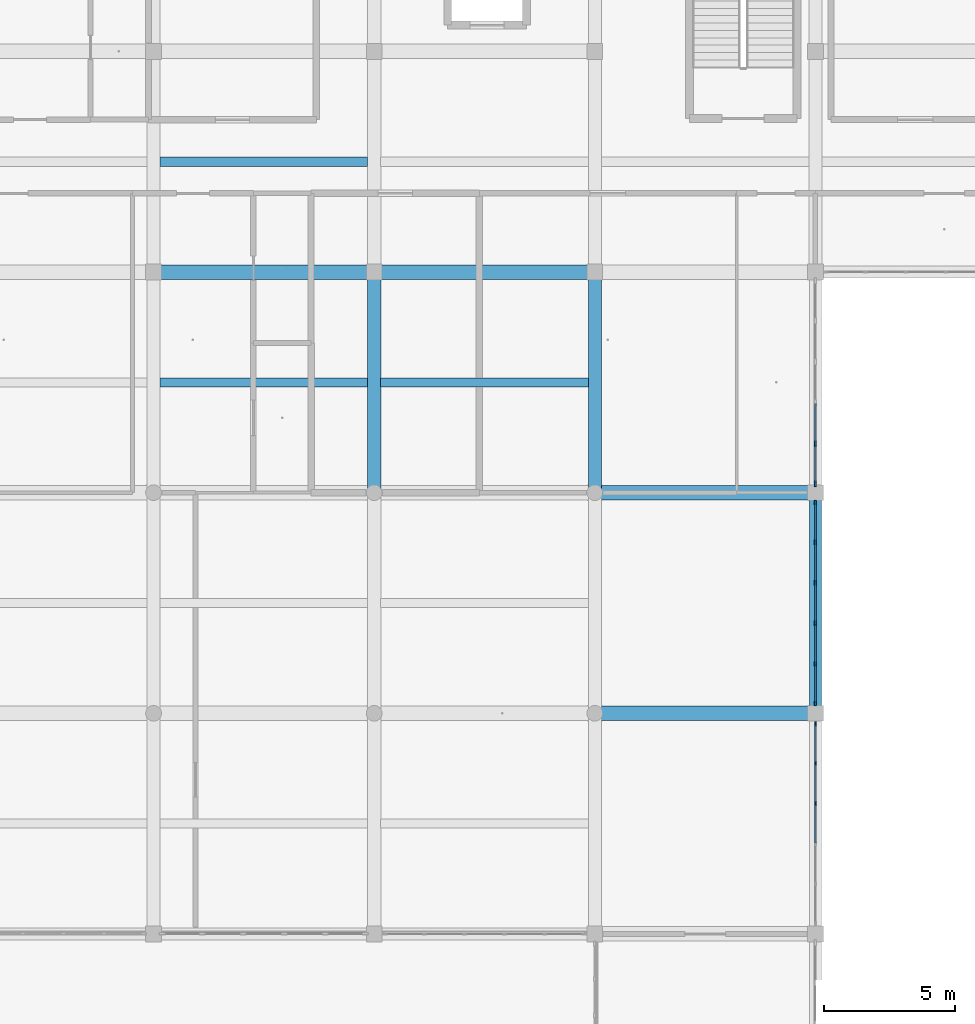
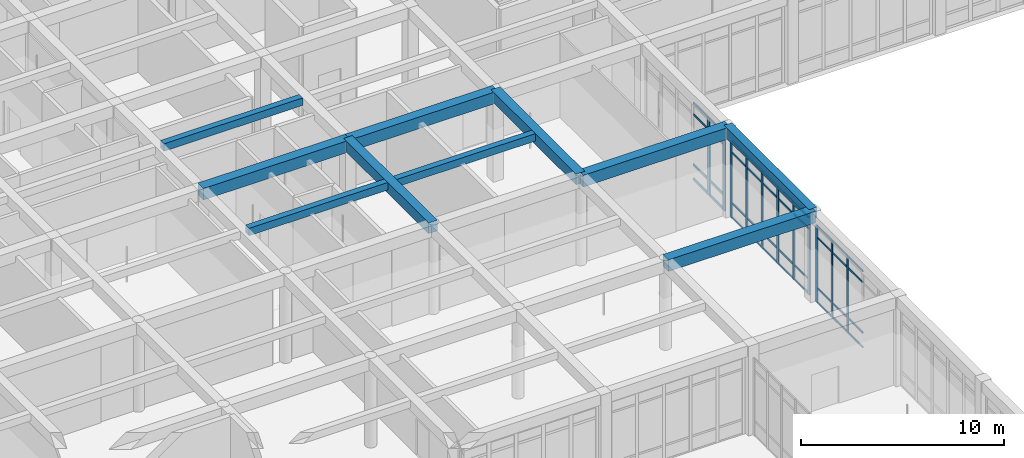
# One storey, part 38 of 157: 51 members, 10 beams, 3 elements without a shape of their own.
"""IFC4 building model written with IfcOpenShell, lengths in metres."""

from ifc_helpers import new_model, si_unit, direction, frame, origin, origin_2d, place, context, subcontext, project, spatial, rectangle, extrude, material, material_profile, profile_set, type_object, element, aggregate, save


model = new_model("IFC4")

# Units and contexts
model_context = context("Model", 3, precision=1e-05, world=origin(), true_north=direction((0.0, 1.0)))
body_context = subcontext(model_context, "Body", "Model", "MODEL_VIEW")
ifc_project = project(units=[si_unit("LENGTHUNIT", "METRE"), si_unit("AREAUNIT", "SQUARE_METRE"), si_unit("VOLUMEUNIT", "CUBIC_METRE"), si_unit("PLANEANGLEUNIT", "RADIAN"), si_unit("MASSUNIT", "GRAM", prefix="KILO")], contexts=[model_context])

# Site, building, storey
site_placement = place(None, origin())
site = spatial("IfcSite", under=ifc_project, at=site_placement, CompositionType="ELEMENT")
building_placement = place(site_placement, origin())
building = spatial("IfcBuilding", under=site, at=building_placement, Name="Varncliffe General Hospital", CompositionType="ELEMENT")
storey_placement = place(building_placement, frame((0.0, 0.0, 5.39990234375)))
storey = spatial("IfcBuildingStorey", under=building, at=storey_placement, Name="L01", CompositionType="ELEMENT", Elevation=5.39990234375)

# Beams
ifc_material_1 = material(Name="Concrete C35/45 (CSA A23.1 35 MPa)", Category="concrete")
ifc_material_profile_1 = material_profile(ifc_material_1, rectangle(XDim=0.5, YDim=0.64990234375, at=origin_2d()), Name="RC 500x650")
ifc_profile_set_1 = profile_set([ifc_material_profile_1], Name="Concrete C35/45 (CSA A23.1 35 MPa)")
beam_type_1 = type_object("IfcBeamType", Name="Beam B29 (Int RC 500x650)", PredefinedType="BEAM", material=ifc_profile_set_1)
for number, where, z_axis, x_axis, name in (
    (1, (100.800048828125, 74.39990234375, 5.0751953125), (0.0, 1.0, 0.0), (-1.0, 0.0, 0.0), "L01 Primary Beam B29-402"),
    (2, (109.199951171875, 74.39990234375, 5.0751953125), (0.0, 1.0, 0.0), (-1.0, 0.0, 0.0), "L01 Primary Beam B29-409"),
):
    element("IfcBeam", number, at=place(storey_placement, frame(where, z_axis=z_axis, x_axis=x_axis)), inside=storey, type_object=beam_type_1, Name=name, PredefinedType="BEAM", context=body_context, shape_type="SweptSolid", body=[
        extrude(rectangle(XDim=0.5, YDim=0.64990234375, at=origin_2d()), origin(), (0.0, 0.0, 1.0), 8.400146484375),
    ])
ifc_material_profile_2 = material_profile(ifc_material_1, rectangle(XDim=0.550048828125, YDim=0.699951171875, at=origin_2d()), Name="RC 550x700")
ifc_profile_set_2 = profile_set([ifc_material_profile_2], Name="Concrete C35/45 (CSA A23.1 35 MPa)")
beam_type_2 = type_object("IfcBeamType", Name="Beam B35 (Int RC 550x700)", PredefinedType="BEAM", material=ifc_profile_set_2)
for number, where, z_axis, x_axis, name in (
    (3, (109.199951171875, 66.0, 5.050048828125), (1.0, 0.0, 0.0), (0.0, 1.0, 0.0), "L01 Primary Beam B35-95"),
    (4, (109.199951171875, 74.39990234375, 5.050048828125), (1.0, 0.0, 0.0), (0.0, 1.0, 0.0), "L01 Primary Beam B35-108"),
    (5, (92.39990234375, 82.800048828125, 5.050048828125), (1.0, 0.0, 0.0), (0.0, 1.0, 0.0), "L01 Primary Beam B35-123"),
):
    element("IfcBeam", number, at=place(storey_placement, frame(where, z_axis=z_axis, x_axis=x_axis)), inside=storey, type_object=beam_type_2, Name=name, PredefinedType="BEAM", context=body_context, shape_type="SweptSolid", body=[
        extrude(rectangle(XDim=0.550048828125, YDim=0.699951171875, at=origin_2d()), origin(), (0.0, 0.0, 1.0), 8.400146484375),
    ])
beam_1_placement = place(storey_placement, frame((100.800048828125, 82.800048828125, 5.050048828125), z_axis=(1.0, 0.0, 0.0), x_axis=(0.0, 1.0, 0.0)))
element("IfcBeam", 6, at=beam_1_placement, inside=storey, type_object=beam_type_2, Name="L01 Primary Beam B35-124", PredefinedType="BEAM", context=body_context, shape_type="SweptSolid", body=[
    extrude(rectangle(XDim=0.550048828125, YDim=0.699951171875, at=origin_2d()), origin(), (0.0, 0.0, 1.0), 8.39990234375),
])

# Curtain wall, members
ifc_material_2 = material(Name="Triple low-E argon insulated vision glazing", Category="glass")
curtain_wall_type_1 = type_object("IfcCurtainWallType", Name="Unitised Glazed Curtain Wall CW70 (7724x4640)", PredefinedType="USERDEFINED", material=ifc_material_2)
curtain_wall_1_placement = place(storey_placement, origin())
curtain_wall_1 = element("IfcCurtainWall", 7, at=curtain_wall_1_placement, inside=storey, type_object=curtain_wall_type_1, Name="L01 Glazed Curtain Wall CW70-55", ObjectType="GLAZED CURTAIN WALL", PredefinedType="USERDEFINED")
ifc_material_3 = material(Name="Dark bronze thermally broken aluminium framing", Category="aluminium")
ifc_material_profile_3 = material_profile(ifc_material_3, rectangle(XDim=0.074951171875, YDim=0.179931640625, at=origin_2d()), Name="ALU 75x180")
ifc_profile_set_3 = profile_set([ifc_material_profile_3], Name="Dark bronze thermally broken aluminium framing")
member_type_1 = type_object("IfcMemberType", Name="Curtain Wall Mullion CM44 (ALU 75x180)", PredefinedType="MULLION", material=ifc_profile_set_3)
member_1_placement = place(storey_placement, frame((117.60009765625, 74.0244140625, 0.0), z_axis=(0.0, 0.0, 1.0), x_axis=(1.0, 0.0, 0.0)))
member_1 = element("IfcMember", 8, at=member_1_placement, type_object=member_type_1, Name="CW70 mullion 1", PredefinedType="MULLION", context=body_context, shape_type="SweptSolid", body=[
    extrude(rectangle(XDim=0.074951171875, YDim=0.179931640625, at=origin_2d()), origin(), (0.0, 0.0, 1.0), 4.64013671875),
])
member_2_placement = place(storey_placement, frame((117.60009765625, 72.51708984375, 0.0), z_axis=(0.0, 0.0, 1.0), x_axis=(1.0, 0.0, 0.0)))
member_2 = element("IfcMember", 9, at=member_2_placement, type_object=member_type_1, Name="CW70 mullion 2", PredefinedType="MULLION", context=body_context, shape_type="SweptSolid", body=[
    extrude(rectangle(XDim=0.074951171875, YDim=0.179931640625, at=origin_2d()), origin(), (0.0, 0.0, 1.0), 4.64013671875),
])
member_3_placement = place(storey_placement, frame((117.60009765625, 70.972412109375, 0.0), z_axis=(0.0, 0.0, 1.0), x_axis=(1.0, 0.0, 0.0)))
member_3 = element("IfcMember", 10, at=member_3_placement, type_object=member_type_1, Name="CW70 mullion 3", PredefinedType="MULLION", context=body_context, shape_type="SweptSolid", body=[
    extrude(rectangle(XDim=0.074951171875, YDim=0.179931640625, at=origin_2d()), origin(), (0.0, 0.0, 1.0), 4.64013671875),
])
member_4_placement = place(storey_placement, frame((117.60009765625, 69.427490234375, 0.0), z_axis=(0.0, 0.0, 1.0), x_axis=(1.0, 0.0, 0.0)))
member_4 = element("IfcMember", 11, at=member_4_placement, type_object=member_type_1, Name="CW70 mullion 4", PredefinedType="MULLION", context=body_context, shape_type="SweptSolid", body=[
    extrude(rectangle(XDim=0.074951171875, YDim=0.179931640625, at=origin_2d()), origin(), (0.0, 0.0, 1.0), 4.64013671875),
])
member_5_placement = place(storey_placement, frame((117.60009765625, 67.8828125, 0.0), z_axis=(0.0, 0.0, 1.0), x_axis=(1.0, 0.0, 0.0)))
member_5 = element("IfcMember", 12, at=member_5_placement, type_object=member_type_1, Name="CW70 mullion 5", PredefinedType="MULLION", context=body_context, shape_type="SweptSolid", body=[
    extrude(rectangle(XDim=0.074951171875, YDim=0.179931640625, at=origin_2d()), origin(), (0.0, 0.0, 1.0), 4.64013671875),
])
member_6_placement = place(storey_placement, frame((117.60009765625, 66.37548828125, 0.0), z_axis=(0.0, 0.0, 1.0), x_axis=(1.0, 0.0, 0.0)))
member_6 = element("IfcMember", 13, at=member_6_placement, type_object=member_type_1, Name="CW70 mullion 6", PredefinedType="MULLION", context=body_context, shape_type="SweptSolid", body=[
    extrude(rectangle(XDim=0.074951171875, YDim=0.179931640625, at=origin_2d()), origin(), (0.0, 0.0, 1.0), 4.64013671875),
])

curtain_wall_type_2 = type_object("IfcCurtainWallType", Name="Unitised Glazed Curtain Wall CW27 (7644x4640)", PredefinedType="USERDEFINED", material=ifc_material_2)
curtain_wall_2_placement = place(storey_placement, origin())
curtain_wall_2 = element("IfcCurtainWall", 14, at=curtain_wall_2_placement, inside=storey, type_object=curtain_wall_type_2, Name="L01 Glazed Curtain Wall CW27-56", ObjectType="GLAZED CURTAIN WALL", PredefinedType="USERDEFINED")
ifc_material_profile_4 = material_profile(ifc_material_3, rectangle(XDim=0.06494140625, YDim=0.159912109375, at=origin_2d()), Name="ALU 65x160")
ifc_profile_set_4 = profile_set([ifc_material_profile_4], Name="Dark bronze thermally broken aluminium framing")
member_type_2 = type_object("IfcMemberType", Name="Curtain Wall Mullion CM65 (ALU 65x160)", PredefinedType="MULLION", material=ifc_profile_set_4)
member_7_placement = place(storey_placement, frame((117.60009765625, 65.589599609375, 0.0), z_axis=(0.0, 0.0, 1.0), x_axis=(1.0, 0.0, 0.0)))
member_7 = element("IfcMember", 15, at=member_7_placement, type_object=member_type_2, Name="CW27 mullion 1", PredefinedType="MULLION", context=body_context, shape_type="SweptSolid", body=[
    extrude(rectangle(XDim=0.06494140625, YDim=0.159912109375, at=origin_2d()), origin(), (0.0, 0.0, 1.0), 4.64013671875),
])
member_8_placement = place(storey_placement, frame((117.60009765625, 64.09326171875, 0.0), z_axis=(0.0, 0.0, 1.0), x_axis=(1.0, 0.0, 0.0)))
member_8 = element("IfcMember", 16, at=member_8_placement, type_object=member_type_2, Name="CW27 mullion 2", PredefinedType="MULLION", context=body_context, shape_type="SweptSolid", body=[
    extrude(rectangle(XDim=0.06494140625, YDim=0.159912109375, at=origin_2d()), origin(), (0.0, 0.0, 1.0), 4.64013671875),
])
member_9_placement = place(storey_placement, frame((117.60009765625, 62.564453125, 0.0), z_axis=(0.0, 0.0, 1.0), x_axis=(1.0, 0.0, 0.0)))
member_9 = element("IfcMember", 17, at=member_9_placement, type_object=member_type_2, Name="CW27 mullion 3", PredefinedType="MULLION", context=body_context, shape_type="SweptSolid", body=[
    extrude(rectangle(XDim=0.06494140625, YDim=0.159912109375, at=origin_2d()), origin(), (0.0, 0.0, 1.0), 4.64013671875),
])

curtain_wall_type_3 = type_object("IfcCurtainWallType", Name="Unitised Glazed Curtain Wall CW85 (7804x4640)", PredefinedType="USERDEFINED", material=ifc_material_2)
curtain_wall_3_placement = place(storey_placement, origin())
curtain_wall_3 = element("IfcCurtainWall", 18, at=curtain_wall_3_placement, inside=storey, type_object=curtain_wall_type_3, Name="L01 Glazed Curtain Wall CW85-72", ObjectType="GLAZED CURTAIN WALL", PredefinedType="USERDEFINED")
ifc_material_profile_5 = material_profile(ifc_material_3, rectangle(XDim=0.074951171875, YDim=0.219970703125, at=origin_2d()), Name="ALU 75x220")
ifc_profile_set_5 = profile_set([ifc_material_profile_5], Name="Dark bronze thermally broken aluminium framing")
member_type_3 = type_object("IfcMemberType", Name="Curtain Wall Mullion CM74 (ALU 75x220)", PredefinedType="MULLION", material=ifc_profile_set_5)
member_10_placement = place(storey_placement, frame((117.60009765625, 76.2587890625, 0.0), z_axis=(0.0, 0.0, 1.0), x_axis=(1.0, 0.0, 0.0)))
member_10 = element("IfcMember", 19, at=member_10_placement, type_object=member_type_3, Name="CW85 mullion 5", PredefinedType="MULLION", context=body_context, shape_type="SweptSolid", body=[
    extrude(rectangle(XDim=0.074951171875, YDim=0.219970703125, at=origin_2d()), origin(), (0.0, 0.0, 1.0), 4.64013671875),
])
member_11_placement = place(storey_placement, frame((117.60009765625, 74.735595703125, 0.0), z_axis=(0.0, 0.0, 1.0), x_axis=(1.0, 0.0, 0.0)))
member_11 = element("IfcMember", 20, at=member_11_placement, type_object=member_type_3, Name="CW85 mullion 6", PredefinedType="MULLION", context=body_context, shape_type="SweptSolid", body=[
    extrude(rectangle(XDim=0.074951171875, YDim=0.219970703125, at=origin_2d()), origin(), (0.0, 0.0, 1.0), 4.64013671875),
])

# Member
ifc_material_profile_6 = material_profile(ifc_material_3, rectangle(XDim=0.06005859375, YDim=0.1201171875, at=origin_2d()), Name="ALU 60x120")
ifc_profile_set_6 = profile_set([ifc_material_profile_6], Name="Dark bronze thermally broken aluminium framing")
member_type_4 = type_object("IfcMemberType", Name="Curtain Wall Transom CT14 (ALU 60x120)", PredefinedType="USERDEFINED", material=ifc_profile_set_6)
member_12_placement = place(storey_placement, frame((117.60009765625, 73.987060546875, 0.030029296875), z_axis=(0.0, -1.0, 0.0), x_axis=(1.0, 0.0, 0.0)))
member_12 = element("IfcMember", 21, at=member_12_placement, type_object=member_type_4, Name="CW70 transom 1.1", ObjectType="TRANSOM", PredefinedType="USERDEFINED", context=body_context, shape_type="SweptSolid", body=[
    extrude(rectangle(XDim=0.06005859375, YDim=0.1201171875, at=origin_2d()), origin(), (0.0, 0.0, 1.0), 1.432373046875),
])

member_13_placement = place(storey_placement, frame((117.60009765625, 73.987060546875, 0.900146484375), z_axis=(0.0, -1.0, 0.0), x_axis=(1.0, 0.0, 0.0)))
member_13 = element("IfcMember", 22, at=member_13_placement, type_object=member_type_4, Name="CW70 transom 1.2", ObjectType="TRANSOM", PredefinedType="USERDEFINED", context=body_context, shape_type="SweptSolid", body=[
    extrude(rectangle(XDim=0.06005859375, YDim=0.1201171875, at=origin_2d()), origin(), (0.0, 0.0, 1.0), 1.432373046875),
])

member_14_placement = place(storey_placement, frame((117.60009765625, 73.987060546875, 3.940185546875), z_axis=(0.0, -1.0, 0.0), x_axis=(1.0, 0.0, 0.0)))
member_14 = element("IfcMember", 23, at=member_14_placement, type_object=member_type_4, Name="CW70 transom 1.3", ObjectType="TRANSOM", PredefinedType="USERDEFINED", context=body_context, shape_type="SweptSolid", body=[
    extrude(rectangle(XDim=0.06005859375, YDim=0.1201171875, at=origin_2d()), origin(), (0.0, 0.0, 1.0), 1.432373046875),
])

member_15_placement = place(storey_placement, frame((117.60009765625, 73.987060546875, 4.610107421875), z_axis=(0.0, -1.0, 0.0), x_axis=(1.0, 0.0, 0.0)))
member_15 = element("IfcMember", 24, at=member_15_placement, type_object=member_type_4, Name="CW70 transom 1.4", ObjectType="TRANSOM", PredefinedType="USERDEFINED", context=body_context, shape_type="SweptSolid", body=[
    extrude(rectangle(XDim=0.06005859375, YDim=0.1201171875, at=origin_2d()), origin(), (0.0, 0.0, 1.0), 1.432373046875),
])

member_16_placement = place(storey_placement, frame((117.60009765625, 72.479736328125, 0.030029296875), z_axis=(0.0, -1.0, 0.0), x_axis=(1.0, 0.0, 0.0)))
member_16 = element("IfcMember", 25, at=member_16_placement, type_object=member_type_4, Name="CW70 transom 2.1", ObjectType="TRANSOM", PredefinedType="USERDEFINED", context=body_context, shape_type="SweptSolid", body=[
    extrude(rectangle(XDim=0.06005859375, YDim=0.1201171875, at=origin_2d()), origin(), (0.0, 0.0, 1.0), 1.4697265625),
])

member_17_placement = place(storey_placement, frame((117.60009765625, 72.479736328125, 0.900146484375), z_axis=(0.0, -1.0, 0.0), x_axis=(1.0, 0.0, 0.0)))
member_17 = element("IfcMember", 26, at=member_17_placement, type_object=member_type_4, Name="CW70 transom 2.2", ObjectType="TRANSOM", PredefinedType="USERDEFINED", context=body_context, shape_type="SweptSolid", body=[
    extrude(rectangle(XDim=0.06005859375, YDim=0.1201171875, at=origin_2d()), origin(), (0.0, 0.0, 1.0), 1.4697265625),
])

member_18_placement = place(storey_placement, frame((117.60009765625, 72.479736328125, 3.940185546875), z_axis=(0.0, -1.0, 0.0), x_axis=(1.0, 0.0, 0.0)))
member_18 = element("IfcMember", 27, at=member_18_placement, type_object=member_type_4, Name="CW70 transom 2.3", ObjectType="TRANSOM", PredefinedType="USERDEFINED", context=body_context, shape_type="SweptSolid", body=[
    extrude(rectangle(XDim=0.06005859375, YDim=0.1201171875, at=origin_2d()), origin(), (0.0, 0.0, 1.0), 1.4697265625),
])

member_19_placement = place(storey_placement, frame((117.60009765625, 72.479736328125, 4.610107421875), z_axis=(0.0, -1.0, 0.0), x_axis=(1.0, 0.0, 0.0)))
member_19 = element("IfcMember", 28, at=member_19_placement, type_object=member_type_4, Name="CW70 transom 2.4", ObjectType="TRANSOM", PredefinedType="USERDEFINED", context=body_context, shape_type="SweptSolid", body=[
    extrude(rectangle(XDim=0.06005859375, YDim=0.1201171875, at=origin_2d()), origin(), (0.0, 0.0, 1.0), 1.4697265625),
])

member_20_placement = place(storey_placement, frame((117.60009765625, 70.934814453125, 0.030029296875), z_axis=(0.0, -1.0, 0.0), x_axis=(1.0, 0.0, 0.0)))
member_20 = element("IfcMember", 29, at=member_20_placement, type_object=member_type_4, Name="CW70 transom 3.1", ObjectType="TRANSOM", PredefinedType="USERDEFINED", context=body_context, shape_type="SweptSolid", body=[
    extrude(rectangle(XDim=0.06005859375, YDim=0.1201171875, at=origin_2d()), origin(), (0.0, 0.0, 1.0), 1.4697265625),
])

member_21_placement = place(storey_placement, frame((117.60009765625, 70.934814453125, 0.900146484375), z_axis=(0.0, -1.0, 0.0), x_axis=(1.0, 0.0, 0.0)))
member_21 = element("IfcMember", 30, at=member_21_placement, type_object=member_type_4, Name="CW70 transom 3.2", ObjectType="TRANSOM", PredefinedType="USERDEFINED", context=body_context, shape_type="SweptSolid", body=[
    extrude(rectangle(XDim=0.06005859375, YDim=0.1201171875, at=origin_2d()), origin(), (0.0, 0.0, 1.0), 1.4697265625),
])

member_22_placement = place(storey_placement, frame((117.60009765625, 70.934814453125, 3.940185546875), z_axis=(0.0, -1.0, 0.0), x_axis=(1.0, 0.0, 0.0)))
member_22 = element("IfcMember", 31, at=member_22_placement, type_object=member_type_4, Name="CW70 transom 3.3", ObjectType="TRANSOM", PredefinedType="USERDEFINED", context=body_context, shape_type="SweptSolid", body=[
    extrude(rectangle(XDim=0.06005859375, YDim=0.1201171875, at=origin_2d()), origin(), (0.0, 0.0, 1.0), 1.4697265625),
])

member_23_placement = place(storey_placement, frame((117.60009765625, 70.934814453125, 4.610107421875), z_axis=(0.0, -1.0, 0.0), x_axis=(1.0, 0.0, 0.0)))
member_23 = element("IfcMember", 32, at=member_23_placement, type_object=member_type_4, Name="CW70 transom 3.4", ObjectType="TRANSOM", PredefinedType="USERDEFINED", context=body_context, shape_type="SweptSolid", body=[
    extrude(rectangle(XDim=0.06005859375, YDim=0.1201171875, at=origin_2d()), origin(), (0.0, 0.0, 1.0), 1.4697265625),
])

member_24_placement = place(storey_placement, frame((117.60009765625, 69.39013671875, 0.030029296875), z_axis=(0.0, -1.0, 0.0), x_axis=(1.0, 0.0, 0.0)))
member_24 = element("IfcMember", 33, at=member_24_placement, type_object=member_type_4, Name="CW70 transom 4.1", ObjectType="TRANSOM", PredefinedType="USERDEFINED", context=body_context, shape_type="SweptSolid", body=[
    extrude(rectangle(XDim=0.06005859375, YDim=0.1201171875, at=origin_2d()), origin(), (0.0, 0.0, 1.0), 1.4697265625),
])

member_25_placement = place(storey_placement, frame((117.60009765625, 69.39013671875, 0.900146484375), z_axis=(0.0, -1.0, 0.0), x_axis=(1.0, 0.0, 0.0)))
member_25 = element("IfcMember", 34, at=member_25_placement, type_object=member_type_4, Name="CW70 transom 4.2", ObjectType="TRANSOM", PredefinedType="USERDEFINED", context=body_context, shape_type="SweptSolid", body=[
    extrude(rectangle(XDim=0.06005859375, YDim=0.1201171875, at=origin_2d()), origin(), (0.0, 0.0, 1.0), 1.4697265625),
])

member_26_placement = place(storey_placement, frame((117.60009765625, 69.39013671875, 3.940185546875), z_axis=(0.0, -1.0, 0.0), x_axis=(1.0, 0.0, 0.0)))
member_26 = element("IfcMember", 35, at=member_26_placement, type_object=member_type_4, Name="CW70 transom 4.3", ObjectType="TRANSOM", PredefinedType="USERDEFINED", context=body_context, shape_type="SweptSolid", body=[
    extrude(rectangle(XDim=0.06005859375, YDim=0.1201171875, at=origin_2d()), origin(), (0.0, 0.0, 1.0), 1.4697265625),
])

member_27_placement = place(storey_placement, frame((117.60009765625, 69.39013671875, 4.610107421875), z_axis=(0.0, -1.0, 0.0), x_axis=(1.0, 0.0, 0.0)))
member_27 = element("IfcMember", 36, at=member_27_placement, type_object=member_type_4, Name="CW70 transom 4.4", ObjectType="TRANSOM", PredefinedType="USERDEFINED", context=body_context, shape_type="SweptSolid", body=[
    extrude(rectangle(XDim=0.06005859375, YDim=0.1201171875, at=origin_2d()), origin(), (0.0, 0.0, 1.0), 1.4697265625),
])

member_28_placement = place(storey_placement, frame((117.60009765625, 67.84521484375, 0.030029296875), z_axis=(0.0, -1.0, 0.0), x_axis=(1.0, 0.0, 0.0)))
member_28 = element("IfcMember", 37, at=member_28_placement, type_object=member_type_4, Name="CW70 transom 5.1", ObjectType="TRANSOM", PredefinedType="USERDEFINED", context=body_context, shape_type="SweptSolid", body=[
    extrude(rectangle(XDim=0.06005859375, YDim=0.1201171875, at=origin_2d()), origin(), (0.0, 0.0, 1.0), 1.43212890625),
])

member_29_placement = place(storey_placement, frame((117.60009765625, 67.84521484375, 0.900146484375), z_axis=(0.0, -1.0, 0.0), x_axis=(1.0, 0.0, 0.0)))
member_29 = element("IfcMember", 38, at=member_29_placement, type_object=member_type_4, Name="CW70 transom 5.2", ObjectType="TRANSOM", PredefinedType="USERDEFINED", context=body_context, shape_type="SweptSolid", body=[
    extrude(rectangle(XDim=0.06005859375, YDim=0.1201171875, at=origin_2d()), origin(), (0.0, 0.0, 1.0), 1.43212890625),
])

member_30_placement = place(storey_placement, frame((117.60009765625, 67.84521484375, 3.940185546875), z_axis=(0.0, -1.0, 0.0), x_axis=(1.0, 0.0, 0.0)))
member_30 = element("IfcMember", 39, at=member_30_placement, type_object=member_type_4, Name="CW70 transom 5.3", ObjectType="TRANSOM", PredefinedType="USERDEFINED", context=body_context, shape_type="SweptSolid", body=[
    extrude(rectangle(XDim=0.06005859375, YDim=0.1201171875, at=origin_2d()), origin(), (0.0, 0.0, 1.0), 1.43212890625),
])

member_31_placement = place(storey_placement, frame((117.60009765625, 67.84521484375, 4.610107421875), z_axis=(0.0, -1.0, 0.0), x_axis=(1.0, 0.0, 0.0)))
member_31 = element("IfcMember", 40, at=member_31_placement, type_object=member_type_4, Name="CW70 transom 5.4", ObjectType="TRANSOM", PredefinedType="USERDEFINED", context=body_context, shape_type="SweptSolid", body=[
    extrude(rectangle(XDim=0.06005859375, YDim=0.1201171875, at=origin_2d()), origin(), (0.0, 0.0, 1.0), 1.43212890625),
])

aggregate(curtain_wall_1, [member_1, member_2, member_3, member_4, member_5, member_6, member_12, member_13, member_14, member_15, member_16, member_17, member_18, member_19, member_20, member_21, member_22, member_23, member_24, member_25, member_26, member_27, member_28, member_29, member_30, member_31])

ifc_material_profile_7 = material_profile(ifc_material_3, rectangle(XDim=0.06005859375, YDim=0.10009765625, at=origin_2d()), Name="ALU 60x100")
ifc_profile_set_7 = profile_set([ifc_material_profile_7], Name="Dark bronze thermally broken aluminium framing")
member_type_5 = type_object("IfcMemberType", Name="Curtain Wall Transom CT18 (ALU 60x100)", PredefinedType="USERDEFINED", material=ifc_profile_set_7)
member_32_placement = place(storey_placement, frame((117.60009765625, 65.556884765625, 0.030029296875), z_axis=(0.0, -1.0, 0.0), x_axis=(1.0, 0.0, 0.0)))
member_32 = element("IfcMember", 41, at=member_32_placement, type_object=member_type_5, Name="CW27 transom 1.1", ObjectType="TRANSOM", PredefinedType="USERDEFINED", context=body_context, shape_type="SweptSolid", body=[
    extrude(rectangle(XDim=0.06005859375, YDim=0.10009765625, at=origin_2d()), origin(), (0.0, 0.0, 1.0), 1.43115234375),
])

member_33_placement = place(storey_placement, frame((117.60009765625, 65.556884765625, 0.900146484375), z_axis=(0.0, -1.0, 0.0), x_axis=(1.0, 0.0, 0.0)))
member_33 = element("IfcMember", 42, at=member_33_placement, type_object=member_type_5, Name="CW27 transom 1.2", ObjectType="TRANSOM", PredefinedType="USERDEFINED", context=body_context, shape_type="SweptSolid", body=[
    extrude(rectangle(XDim=0.06005859375, YDim=0.10009765625, at=origin_2d()), origin(), (0.0, 0.0, 1.0), 1.43115234375),
])

member_34_placement = place(storey_placement, frame((117.60009765625, 65.556884765625, 3.940185546875), z_axis=(0.0, -1.0, 0.0), x_axis=(1.0, 0.0, 0.0)))
member_34 = element("IfcMember", 43, at=member_34_placement, type_object=member_type_5, Name="CW27 transom 1.3", ObjectType="TRANSOM", PredefinedType="USERDEFINED", context=body_context, shape_type="SweptSolid", body=[
    extrude(rectangle(XDim=0.06005859375, YDim=0.10009765625, at=origin_2d()), origin(), (0.0, 0.0, 1.0), 1.43115234375),
])

member_35_placement = place(storey_placement, frame((117.60009765625, 65.556884765625, 4.610107421875), z_axis=(0.0, -1.0, 0.0), x_axis=(1.0, 0.0, 0.0)))
member_35 = element("IfcMember", 44, at=member_35_placement, type_object=member_type_5, Name="CW27 transom 1.4", ObjectType="TRANSOM", PredefinedType="USERDEFINED", context=body_context, shape_type="SweptSolid", body=[
    extrude(rectangle(XDim=0.06005859375, YDim=0.10009765625, at=origin_2d()), origin(), (0.0, 0.0, 1.0), 1.43115234375),
])

member_36_placement = place(storey_placement, frame((117.60009765625, 64.060791015625, 0.030029296875), z_axis=(0.0, -1.0, 0.0), x_axis=(1.0, 0.0, 0.0)))
member_36 = element("IfcMember", 45, at=member_36_placement, type_object=member_type_5, Name="CW27 transom 2.1", ObjectType="TRANSOM", PredefinedType="USERDEFINED", context=body_context, shape_type="SweptSolid", body=[
    extrude(rectangle(XDim=0.06005859375, YDim=0.10009765625, at=origin_2d()), origin(), (0.0, 0.0, 1.0), 1.4638671875),
])

member_37_placement = place(storey_placement, frame((117.60009765625, 64.060791015625, 0.900146484375), z_axis=(0.0, -1.0, 0.0), x_axis=(1.0, 0.0, 0.0)))
member_37 = element("IfcMember", 46, at=member_37_placement, type_object=member_type_5, Name="CW27 transom 2.2", ObjectType="TRANSOM", PredefinedType="USERDEFINED", context=body_context, shape_type="SweptSolid", body=[
    extrude(rectangle(XDim=0.06005859375, YDim=0.10009765625, at=origin_2d()), origin(), (0.0, 0.0, 1.0), 1.4638671875),
])

member_38_placement = place(storey_placement, frame((117.60009765625, 64.060791015625, 3.940185546875), z_axis=(0.0, -1.0, 0.0), x_axis=(1.0, 0.0, 0.0)))
member_38 = element("IfcMember", 47, at=member_38_placement, type_object=member_type_5, Name="CW27 transom 2.3", ObjectType="TRANSOM", PredefinedType="USERDEFINED", context=body_context, shape_type="SweptSolid", body=[
    extrude(rectangle(XDim=0.06005859375, YDim=0.10009765625, at=origin_2d()), origin(), (0.0, 0.0, 1.0), 1.4638671875),
])

member_39_placement = place(storey_placement, frame((117.60009765625, 64.060791015625, 4.610107421875), z_axis=(0.0, -1.0, 0.0), x_axis=(1.0, 0.0, 0.0)))
member_39 = element("IfcMember", 48, at=member_39_placement, type_object=member_type_5, Name="CW27 transom 2.4", ObjectType="TRANSOM", PredefinedType="USERDEFINED", context=body_context, shape_type="SweptSolid", body=[
    extrude(rectangle(XDim=0.06005859375, YDim=0.10009765625, at=origin_2d()), origin(), (0.0, 0.0, 1.0), 1.4638671875),
])

member_40_placement = place(storey_placement, frame((117.60009765625, 62.531982421875, 0.030029296875), z_axis=(0.0, -1.0, 0.0), x_axis=(1.0, 0.0, 0.0)))
member_40 = element("IfcMember", 49, at=member_40_placement, type_object=member_type_5, Name="CW27 transom 3.1", ObjectType="TRANSOM", PredefinedType="USERDEFINED", context=body_context, shape_type="SweptSolid", body=[
    extrude(rectangle(XDim=0.06005859375, YDim=0.10009765625, at=origin_2d()), origin(), (0.0, 0.0, 1.0), 1.4638671875),
])

member_41_placement = place(storey_placement, frame((117.60009765625, 62.531982421875, 0.900146484375), z_axis=(0.0, -1.0, 0.0), x_axis=(1.0, 0.0, 0.0)))
member_41 = element("IfcMember", 50, at=member_41_placement, type_object=member_type_5, Name="CW27 transom 3.2", ObjectType="TRANSOM", PredefinedType="USERDEFINED", context=body_context, shape_type="SweptSolid", body=[
    extrude(rectangle(XDim=0.06005859375, YDim=0.10009765625, at=origin_2d()), origin(), (0.0, 0.0, 1.0), 1.4638671875),
])

member_42_placement = place(storey_placement, frame((117.60009765625, 62.531982421875, 3.940185546875), z_axis=(0.0, -1.0, 0.0), x_axis=(1.0, 0.0, 0.0)))
member_42 = element("IfcMember", 51, at=member_42_placement, type_object=member_type_5, Name="CW27 transom 3.3", ObjectType="TRANSOM", PredefinedType="USERDEFINED", context=body_context, shape_type="SweptSolid", body=[
    extrude(rectangle(XDim=0.06005859375, YDim=0.10009765625, at=origin_2d()), origin(), (0.0, 0.0, 1.0), 1.4638671875),
])

member_43_placement = place(storey_placement, frame((117.60009765625, 62.531982421875, 4.610107421875), z_axis=(0.0, -1.0, 0.0), x_axis=(1.0, 0.0, 0.0)))
member_43 = element("IfcMember", 52, at=member_43_placement, type_object=member_type_5, Name="CW27 transom 3.4", ObjectType="TRANSOM", PredefinedType="USERDEFINED", context=body_context, shape_type="SweptSolid", body=[
    extrude(rectangle(XDim=0.06005859375, YDim=0.10009765625, at=origin_2d()), origin(), (0.0, 0.0, 1.0), 1.4638671875),
])

aggregate(curtain_wall_2, [member_7, member_8, member_9, member_32, member_33, member_34, member_35, member_36, member_37, member_38, member_39, member_40, member_41, member_42, member_43])

ifc_material_profile_8 = material_profile(ifc_material_3, rectangle(XDim=0.06494140625, YDim=0.139892578125, at=origin_2d()), Name="ALU 65x140")
ifc_profile_set_8 = profile_set([ifc_material_profile_8], Name="Dark bronze thermally broken aluminium framing")
member_type_6 = type_object("IfcMemberType", Name="Curtain Wall Transom CT69 (ALU 65x140)", PredefinedType="USERDEFINED", material=ifc_profile_set_8)
member_44_placement = place(storey_placement, frame((117.60009765625, 77.781982421875, 0.03271484375), z_axis=(0.0, -1.0, 0.0), x_axis=(1.0, 0.0, 0.0)))
member_44 = element("IfcMember", 53, at=member_44_placement, type_object=member_type_6, Name="CW85 transom 4.1", ObjectType="TRANSOM", PredefinedType="USERDEFINED", context=body_context, shape_type="SweptSolid", body=[
    extrude(rectangle(XDim=0.06494140625, YDim=0.139892578125, at=origin_2d()), origin(), (0.0, 0.0, 1.0), 1.485595703125),
])

member_45_placement = place(storey_placement, frame((117.60009765625, 77.781982421875, 0.900146484375), z_axis=(0.0, -1.0, 0.0), x_axis=(1.0, 0.0, 0.0)))
member_45 = element("IfcMember", 54, at=member_45_placement, type_object=member_type_6, Name="CW85 transom 4.2", ObjectType="TRANSOM", PredefinedType="USERDEFINED", context=body_context, shape_type="SweptSolid", body=[
    extrude(rectangle(XDim=0.06494140625, YDim=0.139892578125, at=origin_2d()), origin(), (0.0, 0.0, 1.0), 1.485595703125),
])

member_46_placement = place(storey_placement, frame((117.60009765625, 77.781982421875, 3.940185546875), z_axis=(0.0, -1.0, 0.0), x_axis=(1.0, 0.0, 0.0)))
member_46 = element("IfcMember", 55, at=member_46_placement, type_object=member_type_6, Name="CW85 transom 4.3", ObjectType="TRANSOM", PredefinedType="USERDEFINED", context=body_context, shape_type="SweptSolid", body=[
    extrude(rectangle(XDim=0.06494140625, YDim=0.139892578125, at=origin_2d()), origin(), (0.0, 0.0, 1.0), 1.485595703125),
])

member_47_placement = place(storey_placement, frame((117.60009765625, 77.781982421875, 4.607666015625), z_axis=(0.0, -1.0, 0.0), x_axis=(1.0, 0.0, 0.0)))
member_47 = element("IfcMember", 56, at=member_47_placement, type_object=member_type_6, Name="CW85 transom 4.4", ObjectType="TRANSOM", PredefinedType="USERDEFINED", context=body_context, shape_type="SweptSolid", body=[
    extrude(rectangle(XDim=0.06494140625, YDim=0.139892578125, at=origin_2d()), origin(), (0.0, 0.0, 1.0), 1.485595703125),
])

member_48_placement = place(storey_placement, frame((117.60009765625, 76.22119140625, 0.03271484375), z_axis=(0.0, -1.0, 0.0), x_axis=(1.0, 0.0, 0.0)))
member_48 = element("IfcMember", 57, at=member_48_placement, type_object=member_type_6, Name="CW85 transom 5.1", ObjectType="TRANSOM", PredefinedType="USERDEFINED", context=body_context, shape_type="SweptSolid", body=[
    extrude(rectangle(XDim=0.06494140625, YDim=0.139892578125, at=origin_2d()), origin(), (0.0, 0.0, 1.0), 1.4482421875),
])

member_49_placement = place(storey_placement, frame((117.60009765625, 76.22119140625, 0.900146484375), z_axis=(0.0, -1.0, 0.0), x_axis=(1.0, 0.0, 0.0)))
member_49 = element("IfcMember", 58, at=member_49_placement, type_object=member_type_6, Name="CW85 transom 5.2", ObjectType="TRANSOM", PredefinedType="USERDEFINED", context=body_context, shape_type="SweptSolid", body=[
    extrude(rectangle(XDim=0.06494140625, YDim=0.139892578125, at=origin_2d()), origin(), (0.0, 0.0, 1.0), 1.4482421875),
])

member_50_placement = place(storey_placement, frame((117.60009765625, 76.22119140625, 3.940185546875), z_axis=(0.0, -1.0, 0.0), x_axis=(1.0, 0.0, 0.0)))
member_50 = element("IfcMember", 59, at=member_50_placement, type_object=member_type_6, Name="CW85 transom 5.3", ObjectType="TRANSOM", PredefinedType="USERDEFINED", context=body_context, shape_type="SweptSolid", body=[
    extrude(rectangle(XDim=0.06494140625, YDim=0.139892578125, at=origin_2d()), origin(), (0.0, 0.0, 1.0), 1.4482421875),
])

member_51_placement = place(storey_placement, frame((117.60009765625, 76.22119140625, 4.607666015625), z_axis=(0.0, -1.0, 0.0), x_axis=(1.0, 0.0, 0.0)))
member_51 = element("IfcMember", 60, at=member_51_placement, type_object=member_type_6, Name="CW85 transom 5.4", ObjectType="TRANSOM", PredefinedType="USERDEFINED", context=body_context, shape_type="SweptSolid", body=[
    extrude(rectangle(XDim=0.06494140625, YDim=0.139892578125, at=origin_2d()), origin(), (0.0, 0.0, 1.0), 1.4482421875),
])

aggregate(curtain_wall_3, [member_10, member_11, member_44, member_45, member_46, member_47, member_48, member_49, member_50, member_51])

# Beams
ifc_material_profile_9 = material_profile(ifc_material_1, rectangle(XDim=0.35009765625, YDim=0.449951171875, at=origin_2d()), Name="RC 350x450")
ifc_profile_set_9 = profile_set([ifc_material_profile_9], Name="Concrete C35/45 (CSA A23.1 35 MPa)")
beam_type_3 = type_object("IfcBeamType", Name="Joist J55 (Int RC 350x450)", PredefinedType="JOIST", material=ifc_profile_set_9)
for number, where, z_axis, x_axis, name in (
    (61, (92.64794921875, 78.60009765625, 5.175048828125), (1.0, 0.0, 0.0), (0.0, 1.0, 0.0), "L01 Secondary Floor Rib J55-49"),
    (62, (92.64794921875, 87.0, 5.175048828125), (1.0, 0.0, 0.0), (0.0, 1.0, 0.0), "L01 Secondary Floor Rib J55-50"),
):
    element("IfcBeam", number, at=place(storey_placement, frame(where, z_axis=z_axis, x_axis=x_axis)), inside=storey, type_object=beam_type_3, Name=name, PredefinedType="JOIST", context=body_context, shape_type="SweptSolid", body=[
        extrude(rectangle(XDim=0.35009765625, YDim=0.449951171875, at=origin_2d()), origin(), (0.0, 0.0, 1.0), 7.904052734375),
    ])
beam_2_placement = place(storey_placement, frame((101.048095703125, 78.60009765625, 5.175048828125), z_axis=(1.0, 0.0, 0.0), x_axis=(0.0, 1.0, 0.0)))
element("IfcBeam", 63, at=beam_2_placement, inside=storey, type_object=beam_type_3, Name="L01 Secondary Floor Rib J55-55", PredefinedType="JOIST", context=body_context, shape_type="SweptSolid", body=[
    extrude(rectangle(XDim=0.35009765625, YDim=0.449951171875, at=origin_2d()), origin(), (0.0, 0.0, 1.0), 7.90380859375),
])
ifc_material_profile_10 = material_profile(ifc_material_1, rectangle(XDim=0.449951171875, YDim=0.64990234375, at=origin_2d()), Name="RC 450x650")
ifc_profile_set_10 = profile_set([ifc_material_profile_10], Name="Concrete C35/45 (CSA A23.1 35 MPa)")
beam_type_4 = type_object("IfcBeamType", Name="Spandrel SP38 (Ext RC 450x650B)", PredefinedType="SPANDREL", material=ifc_profile_set_10)
beam_3_placement = place(storey_placement, frame((117.60009765625, 66.0, 5.0751953125), z_axis=(0.0, 1.0, 0.0), x_axis=(-1.0, 0.0, 0.0)))
element("IfcBeam", 64, at=beam_3_placement, inside=storey, type_object=beam_type_4, Name="L01 Spandrel Beam SP38-424", PredefinedType="SPANDREL", context=body_context, shape_type="SweptSolid", body=[
    extrude(rectangle(XDim=0.449951171875, YDim=0.64990234375, at=origin_2d()), origin(), (0.0, 0.0, 1.0), 8.39990234375),
])

save(model, "model.ifc")
